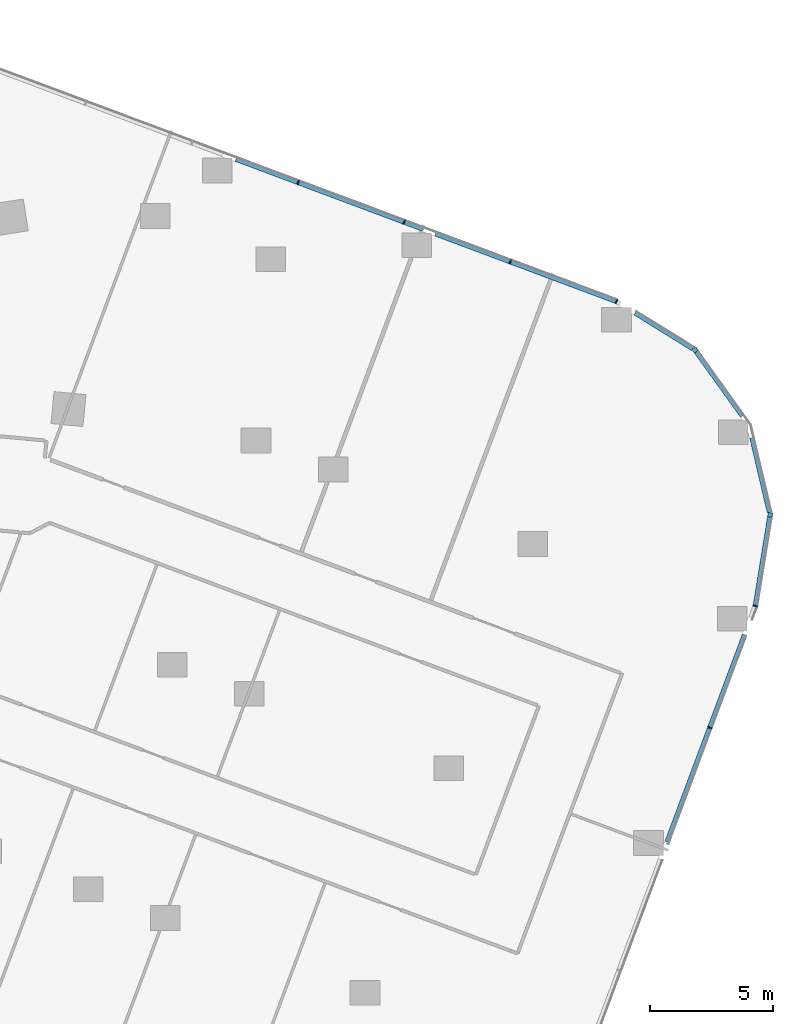
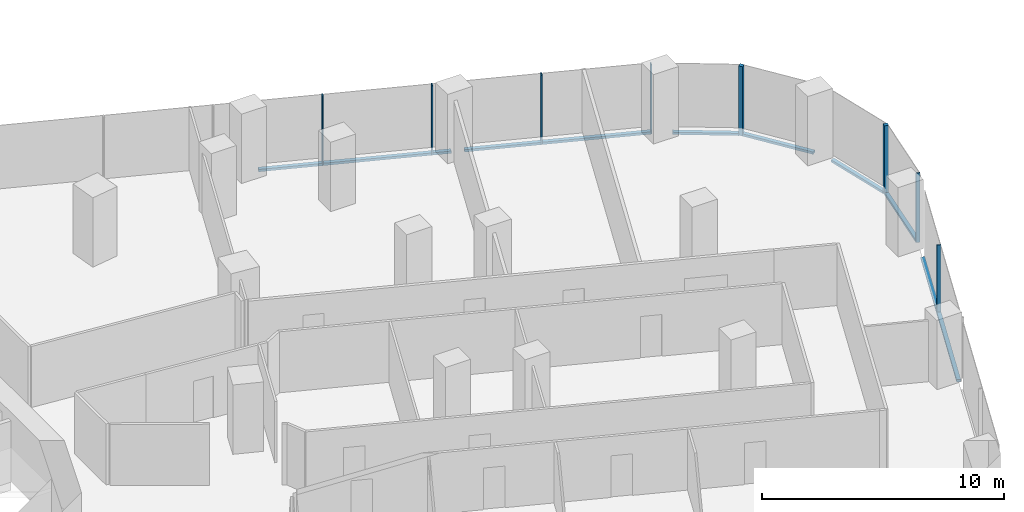
# One storey, part 10 of 31: 15 members, 6 elements without a shape of their own.
"""IFC4 building model written with IfcOpenShell, lengths in metres."""

from ifc_helpers import new_model, si_unit, direction, frame, origin, origin_2d, place, context, subcontext, project, spatial, rectangle, extrude, material, material_profile, profile_set, type_object, element, aggregate, save


model = new_model("IFC4")

# Units and contexts
model_context = context("Model", 3, precision=1e-05, world=origin(), true_north=direction((0.0, 1.0)))
body_context = subcontext(model_context, "Body", "Model", "MODEL_VIEW")
ifc_project = project(units=[si_unit("LENGTHUNIT", "METRE"), si_unit("AREAUNIT", "SQUARE_METRE"), si_unit("VOLUMEUNIT", "CUBIC_METRE"), si_unit("PLANEANGLEUNIT", "RADIAN"), si_unit("MASSUNIT", "GRAM", prefix="KILO")], contexts=[model_context])

# Site, building, storey
site_placement = place(None, origin())
site = spatial("IfcSite", under=ifc_project, at=site_placement, CompositionType="ELEMENT")
building_placement = place(site_placement, origin())
building = spatial("IfcBuilding", under=site, at=building_placement, Name="Orlundy Tower", CompositionType="ELEMENT")
storey_placement = place(building_placement, frame((0.0, 0.0, 87.699951171875)))
storey = spatial("IfcBuildingStorey", under=building, at=storey_placement, Name="L21", CompositionType="ELEMENT", Elevation=87.699951171875)

# Curtain wall, member
ifc_material_1 = material(Name="Aluminium bronze anodised", Category="aluminium")
curtain_wall_type = type_object("IfcCurtainWallType", Name="CW1 wall", PredefinedType="NOTDEFINED", material=ifc_material_1)
curtain_wall_1_placement = place(storey_placement, origin())
curtain_wall_1 = element("IfcCurtainWall", 1, at=curtain_wall_1_placement, inside=storey, type_object=curtain_wall_type, Name="CW1 run 08", PredefinedType="NOTDEFINED")
ifc_material_2 = material(Name="Aluminium bronze anodised", Category="aluminium")
ifc_material_profile_1 = material_profile(ifc_material_2, rectangle(XDim=0.179931640625, YDim=0.179931640625, at=origin_2d()), Name="CW1 corner post 180x180")
ifc_profile_set_1 = profile_set([ifc_material_profile_1], Name="Aluminium bronze anodised")
member_type_1 = type_object("IfcMemberType", Name="CW1 corner post 180x180", PredefinedType="MULLION", material=ifc_profile_set_1)
member_1_placement = place(storey_placement, frame((57.052490234375, -0.659912109375, -0.39990234375), z_axis=(0.0, 0.0, 1.0), x_axis=(0.811723617772, 0.584041752233, 0.0)))
member_1 = element("IfcMember", 2, at=member_1_placement, type_object=member_type_1, Name="CW1 mullion 33", PredefinedType="MULLION", context=body_context, shape_type="SweptSolid", body=[
    extrude(rectangle(XDim=0.179931640625, YDim=0.179931640625, at=origin_2d()), origin(), (0.0, 0.0, 1.0), 3.5),
])

curtain_wall_2_placement = place(storey_placement, origin())
curtain_wall_2 = element("IfcCurtainWall", 3, at=curtain_wall_2_placement, inside=storey, type_object=curtain_wall_type, Name="CW1 run 010", PredefinedType="NOTDEFINED")
member_2_placement = place(storey_placement, frame((60.0966796875, -7.3408203125, -0.39990234375), z_axis=(0.0, 0.0, 1.0), x_axis=(0.986985368462, -0.160810081906, 0.0)))
member_2 = element("IfcMember", 4, at=member_2_placement, type_object=member_type_1, Name="CW1 mullion 35", PredefinedType="MULLION", context=body_context, shape_type="SweptSolid", body=[
    extrude(rectangle(XDim=0.179931640625, YDim=0.179931640625, at=origin_2d()), origin(), (0.0, 0.0, 1.0), 3.5),
])

# Curtain wall, members
curtain_wall_3_placement = place(storey_placement, origin())
curtain_wall_3 = element("IfcCurtainWall", 5, at=curtain_wall_3_placement, inside=storey, type_object=curtain_wall_type, Name="CW1 run 06", PredefinedType="NOTDEFINED")
ifc_material_3 = material(Name="Aluminium bronze anodised", Category="aluminium")
ifc_material_profile_2 = material_profile(ifc_material_3, rectangle(XDim=0.179931640625, YDim=0.050048828125, at=origin_2d()), Name="CW1 mullion 50x180")
ifc_profile_set_2 = profile_set([ifc_material_profile_2], Name="Aluminium bronze anodised")
member_type_2 = type_object("IfcMemberType", Name="CW1 mullion 50x180", PredefinedType="MULLION", material=ifc_profile_set_2)
member_3_placement = place(storey_placement, frame((40.97509765625, 6.12841796875, -0.39990234375), z_axis=(0.0, 0.0, 1.0), x_axis=(0.350203812273, 0.93667352363, 0.0)))
member_3 = element("IfcMember", 6, at=member_3_placement, type_object=member_type_2, Name="CW1 mullion 29", PredefinedType="MULLION", context=body_context, shape_type="SweptSolid", body=[
    extrude(rectangle(XDim=0.179931640625, YDim=0.050048828125, at=origin_2d()), origin(), (0.0, 0.0, 1.0), 3.5),
])
member_4_placement = place(storey_placement, frame((45.273193359375, 4.521240234375, -0.39990234375), z_axis=(0.0, 0.0, 1.0), x_axis=(0.350203812273, 0.93667352363, 0.0)))
member_4 = element("IfcMember", 7, at=member_4_placement, type_object=member_type_2, Name="CW1 mullion 30", PredefinedType="MULLION", context=body_context, shape_type="SweptSolid", body=[
    extrude(rectangle(XDim=0.179931640625, YDim=0.050048828125, at=origin_2d()), origin(), (0.0, 0.0, 1.0), 3.5),
])
member_5_placement = place(storey_placement, frame((49.5712890625, 2.914306640625, -0.39990234375), z_axis=(0.0, 0.0, 1.0), x_axis=(0.350203812273, 0.93667352363, 0.0)))
member_5 = element("IfcMember", 8, at=member_5_placement, type_object=member_type_2, Name="CW1 mullion 31", PredefinedType="MULLION", context=body_context, shape_type="SweptSolid", body=[
    extrude(rectangle(XDim=0.179931640625, YDim=0.050048828125, at=origin_2d()), origin(), (0.0, 0.0, 1.0), 3.5),
])

# Curtain wall, member
curtain_wall_4_placement = place(storey_placement, origin())
curtain_wall_4 = element("IfcCurtainWall", 9, at=curtain_wall_4_placement, inside=storey, type_object=curtain_wall_type, Name="CW1 run 07", PredefinedType="NOTDEFINED")
member_6_placement = place(storey_placement, frame((53.8779296875, 1.30419921875, -0.39990234375), z_axis=(0.0, 0.0, 1.0), x_axis=(0.440276029631, 0.897862471503, 0.0)))
member_6 = element("IfcMember", 10, at=member_6_placement, type_object=member_type_2, Name="CW1 mullion 32", PredefinedType="MULLION", context=body_context, shape_type="SweptSolid", body=[
    extrude(rectangle(XDim=0.179931640625, YDim=0.050048828125, at=origin_2d()), origin(), (0.0, 0.0, 1.0), 3.5),
])

# Curtain wall, members
curtain_wall_5_placement = place(storey_placement, origin())
curtain_wall_5 = element("IfcCurtainWall", 11, at=curtain_wall_5_placement, inside=storey, type_object=curtain_wall_type, Name="CW1 run 011", PredefinedType="NOTDEFINED")
member_7_placement = place(storey_placement, frame((59.496337890625, -11.025146484375, -0.39990234375), z_axis=(0.0, 0.0, 1.0), x_axis=(0.966481186218, -0.256737446988, 0.0)))
member_7 = element("IfcMember", 12, at=member_7_placement, type_object=member_type_2, Name="CW1 mullion 36", PredefinedType="MULLION", context=body_context, shape_type="SweptSolid", body=[
    extrude(rectangle(XDim=0.179931640625, YDim=0.050048828125, at=origin_2d()), origin(), (0.0, 0.0, 1.0), 3.5),
])
member_8_placement = place(storey_placement, frame((57.65478515625, -15.950927734375, -0.39990234375), z_axis=(0.0, 0.0, 1.0), x_axis=(0.936677057252, -0.350194360916, 0.0)))
member_8 = element("IfcMember", 13, at=member_8_placement, type_object=member_type_2, Name="CW1 mullion 37", PredefinedType="MULLION", context=body_context, shape_type="SweptSolid", body=[
    extrude(rectangle(XDim=0.179931640625, YDim=0.050048828125, at=origin_2d()), origin(), (0.0, 0.0, 1.0), 3.5),
])

# Member
ifc_material_4 = material(Name="Aluminium bronze anodised", Category="aluminium")
ifc_material_profile_3 = material_profile(ifc_material_4, rectangle(XDim=0.179931640625, YDim=0.1201171875, at=origin_2d()), Name="CW1 transom 180x120")
ifc_profile_set_3 = profile_set([ifc_material_profile_3], Name="Aluminium bronze anodised")
member_type_3 = type_object("IfcMemberType", Name="CW1 transom 180x120", PredefinedType="USERDEFINED", material=ifc_profile_set_3)
member_9_placement = place(storey_placement, frame((38.4541015625, 7.07080078125, -0.33984375), z_axis=(0.936673902166, -0.35020279982, 0.0), x_axis=(0.35020279982, 0.936673902166, 0.0)))
member_9 = element("IfcMember", 14, at=member_9_placement, type_object=member_type_3, Name="CW1 transom", ObjectType="TRANSOM", PredefinedType="USERDEFINED", context=body_context, shape_type="SweptSolid", body=[
    extrude(rectangle(XDim=0.179931640625, YDim=0.1201171875, at=origin_2d()), origin(), (0.0, 0.0, 1.0), 8.08056640625),
])

member_10_placement = place(storey_placement, frame((46.541015625, 4.04736328125, -0.33984375), z_axis=(0.936669271794, -0.350215184246, 0.0), x_axis=(0.350215184246, 0.936669271794, 0.0)))
member_10 = element("IfcMember", 15, at=member_10_placement, type_object=member_type_3, Name="CW1 transom", ObjectType="TRANSOM", PredefinedType="USERDEFINED", context=body_context, shape_type="SweptSolid", body=[
    extrude(rectangle(XDim=0.179931640625, YDim=0.1201171875, at=origin_2d()), origin(), (0.0, 0.0, 1.0), 7.8076171875),
])

aggregate(curtain_wall_3, [member_3, member_4, member_5, member_9, member_10])

member_11_placement = place(storey_placement, frame((54.6259765625, 0.84130859375, -0.33984375), z_axis=(0.850418029211, -0.526107570363, 0.0), x_axis=(0.526107570363, 0.850418029211, 0.0)))
member_11 = element("IfcMember", 16, at=member_11_placement, type_object=member_type_3, Name="CW1 transom", ObjectType="TRANSOM", PredefinedType="USERDEFINED", context=body_context, shape_type="SweptSolid", body=[
    extrude(rectangle(XDim=0.179931640625, YDim=0.1201171875, at=origin_2d()), origin(), (0.0, 0.0, 1.0), 2.756103515625),
])

aggregate(curtain_wall_4, [member_6, member_11])

member_12_placement = place(storey_placement, frame((57.105224609375, -0.73291015625, -0.33984375), z_axis=(0.584015768049, -0.811742312972, 0.0), x_axis=(0.811742312972, 0.584015768049, 0.0)))
member_12 = element("IfcMember", 17, at=member_12_placement, type_object=member_type_3, Name="CW1 transom", ObjectType="TRANSOM", PredefinedType="USERDEFINED", context=body_context, shape_type="SweptSolid", body=[
    extrude(rectangle(XDim=0.179931640625, YDim=0.1201171875, at=origin_2d()), origin(), (0.0, 0.0, 1.0), 3.20556640625),
])

aggregate(curtain_wall_1, [member_1, member_12])

# Curtain wall, member
curtain_wall_6_placement = place(storey_placement, origin())
curtain_wall_6 = element("IfcCurtainWall", 18, at=curtain_wall_6_placement, inside=storey, type_object=curtain_wall_type, Name="CW1 run 09", PredefinedType="NOTDEFINED")
member_13_placement = place(storey_placement, frame((59.35888671875, -4.20947265625, -0.33984375), z_axis=(0.229383925771, -0.973336023477, 0.0), x_axis=(0.973336023477, 0.229383925771, 0.0)))
member_13 = element("IfcMember", 19, at=member_13_placement, type_object=member_type_3, Name="CW1 transom", ObjectType="TRANSOM", PredefinedType="USERDEFINED", context=body_context, shape_type="SweptSolid", body=[
    extrude(rectangle(XDim=0.179931640625, YDim=0.1201171875, at=origin_2d()), origin(), (0.0, 0.0, 1.0), 3.11962890625),
])
aggregate(curtain_wall_6, [member_13])

# Member
member_14_placement = place(storey_placement, frame((60.082275390625, -7.4296875, -0.33984375), z_axis=(-0.160808608313, -0.986985608554, 0.0), x_axis=(0.986985608554, -0.160808608313, 0.0)))
member_14 = element("IfcMember", 20, at=member_14_placement, type_object=member_type_3, Name="CW1 transom", ObjectType="TRANSOM", PredefinedType="USERDEFINED", context=body_context, shape_type="SweptSolid", body=[
    extrude(rectangle(XDim=0.179931640625, YDim=0.1201171875, at=origin_2d()), origin(), (0.0, 0.0, 1.0), 3.617919921875),
])

aggregate(curtain_wall_2, [member_2, member_14])

member_15_placement = place(storey_placement, frame((59.060546875, -12.19091796875, -0.33984375), z_axis=(-0.350201406125, -0.936674423238, 0.0), x_axis=(0.936674423238, -0.350201406125, 0.0)))
member_15 = element("IfcMember", 21, at=member_15_placement, type_object=member_type_3, Name="CW1 transom", ObjectType="TRANSOM", PredefinedType="USERDEFINED", context=body_context, shape_type="SweptSolid", body=[
    extrude(rectangle(XDim=0.179931640625, YDim=0.1201171875, at=origin_2d()), origin(), (0.0, 0.0, 1.0), 8.968017578125),
])

aggregate(curtain_wall_5, [member_7, member_8, member_15])

save(model, "model.ifc")
